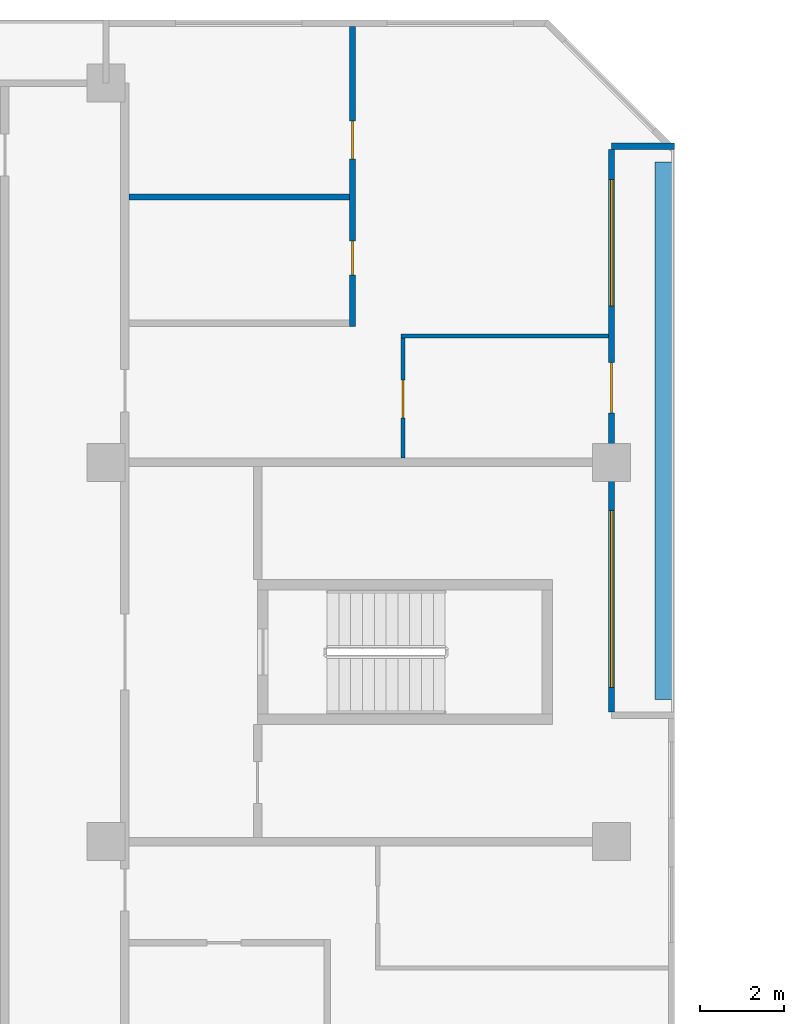
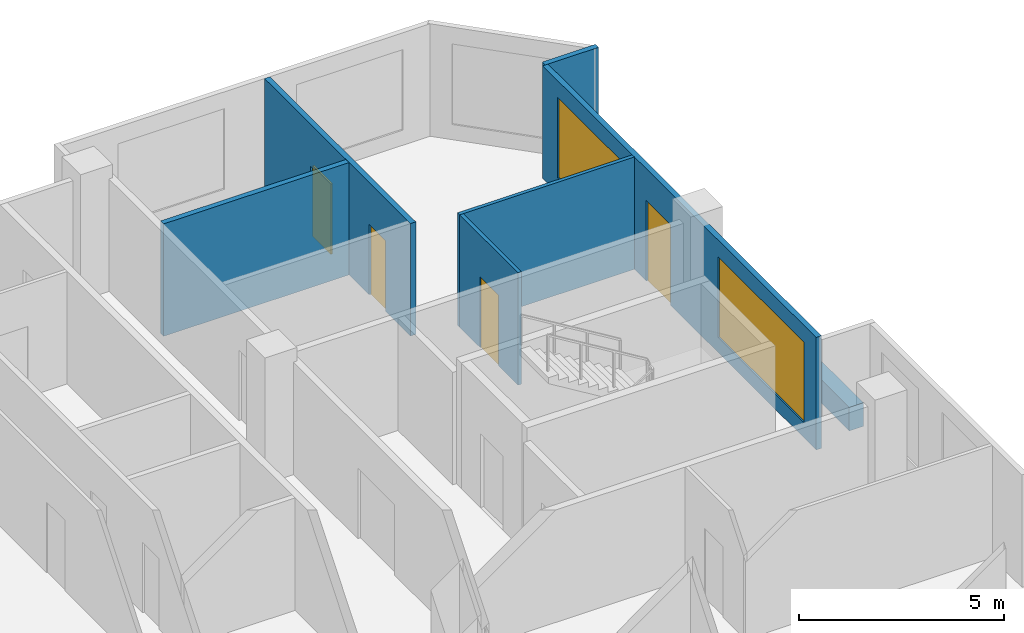
# One storey, part 11 of 14: 7 walls, 4 doors, 2 windows, 6 openings.
"""IFC4 building model written with IfcOpenShell, lengths in metres."""

from ifc_helpers import new_model, si_unit, direction, frame, frame_2d, origin, place, context, subcontext, project, spatial, rectangle, extrude, material, layer, layer_set, type_object, element, fill, save


model = new_model("IFC4")

# Units and contexts
model_context = context("Model", 3, precision=1e-05, world=origin(), true_north=direction((0.0, 1.0)))
body_context = subcontext(model_context, "Body", "Model", "MODEL_VIEW")
ifc_project = project(units=[si_unit("LENGTHUNIT", "METRE"), si_unit("AREAUNIT", "SQUARE_METRE"), si_unit("VOLUMEUNIT", "CUBIC_METRE"), si_unit("PLANEANGLEUNIT", "RADIAN"), si_unit("MASSUNIT", "GRAM", prefix="KILO")], contexts=[model_context])

# Site, building, storey
site_placement = place(None, origin())
site = spatial("IfcSite", under=ifc_project, at=site_placement, CompositionType="ELEMENT")
building_placement = place(site_placement, origin())
building = spatial("IfcBuilding", under=site, at=building_placement, Name="Chenar Terraces", CompositionType="ELEMENT")
storey_placement = place(building_placement, frame((0.0, 0.0, 161.14990234375)))
storey = spatial("IfcBuildingStorey", under=building, at=storey_placement, Name="L36", CompositionType="ELEMENT", Elevation=161.14990234375)

# Wall, openings, windows, door
ifc_material_1 = material(Name="Aluminium framed glazing", Category="aluminium")
ifc_layer_1 = layer(ifc_material_1, 0.14990234375)
ifc_layer_set_1 = layer_set([ifc_layer_1], Name="Aluminium framed glazing")
wall_type_1 = type_object("IfcWallType", Name="Glazed loggia back wall 150", PredefinedType="SOLIDWALL", material=ifc_layer_set_1)
wall_1_placement = place(storey_placement, frame((24.0, 48.074951171875, 0.0), z_axis=(0.0, 0.0, 1.0), x_axis=(0.0, 1.0, 0.0)))
wall_1 = element("IfcWall", 1, at=wall_1_placement, inside=storey, type_object=wall_type_1, Name="Glazed loggia back wall", PredefinedType="SOLIDWALL", context=body_context, shape_type="SweptSolid", body=[
    extrude(rectangle(XDim=13.35009765625, YDim=0.14990234375, at=frame_2d((6.675048828125, 0.0))), origin(), (0.0, 0.0, 1.0), 3.35009765625),
])
opening_1_placement = place(wall_1_placement, frame((0.58740234375, 0.0, 0.449951171875)))
opening_1 = element("IfcOpeningElement", 2, at=opening_1_placement, cuts=wall_1, Name="Opening W420x240", PredefinedType="OPENING", context=body_context, shape_type="SweptSolid", body=[
    extrude(rectangle(XDim=4.199951171875, YDim=2.39990234375, at=frame_2d((2.10009765625, 1.199951171875))), frame((0.0, 0.0849609375, 0.0), z_axis=(0.0, -1.0, 0.0), x_axis=(1.0, 0.0, 0.0)), (0.0, 0.0, 1.0), 0.169921875),
])
opening_2_placement = place(wall_1_placement, frame((7.10009765625, 0.0, 0.0)))
opening_2 = element("IfcOpeningElement", 3, at=opening_2_placement, cuts=wall_1, Name="Opening DL36-G2", PredefinedType="OPENING", context=body_context, shape_type="SweptSolid", body=[
    extrude(rectangle(XDim=1.199951171875, YDim=2.39990234375, at=frame_2d((0.60009765625, 1.199951171875))), frame((0.0, 0.0849609375, 0.0), z_axis=(0.0, -1.0, 0.0), x_axis=(1.0, 0.0, 0.0)), (0.0, 0.0, 1.0), 0.169921875),
])
opening_3_placement = place(wall_1_placement, frame((9.637451171875, 0.0, 0.449951171875)))
opening_3 = element("IfcOpeningElement", 4, at=opening_3_placement, cuts=wall_1, Name="Opening W300x240", PredefinedType="OPENING", context=body_context, shape_type="SweptSolid", body=[
    extrude(rectangle(XDim=3.0, YDim=2.39990234375, at=frame_2d((1.5, 1.199951171875))), frame((0.0, 0.0849609375, 0.0), z_axis=(0.0, -1.0, 0.0), x_axis=(1.0, 0.0, 0.0)), (0.0, 0.0, 1.0), 0.169921875),
])
ifc_material_2 = material(Name="Low emissivity double glazing, aluminium frame", Category="aluminium")
window_type_1 = type_object("IfcWindowType", Name="Fixed light 3000 x 2400", PartitioningType="SINGLE_PANEL", PredefinedType="WINDOW", material=ifc_material_2)
window_1_placement = place(opening_3_placement, origin())
window_1 = element("IfcWindow", 5, at=window_1_placement, inside=storey, type_object=window_type_1, Name="Window", OverallHeight=2.39990234375, OverallWidth=3.0, PartitioningType="SINGLE_PANEL", PredefinedType="WINDOW", context=body_context, shape_type="SweptSolid", body=[
    extrude(rectangle(XDim=3.0, YDim=2.39990234375, at=frame_2d((1.5, 1.199951171875))), frame((0.0, 0.030029296875, 0.0), z_axis=(0.0, -1.0, 0.0), x_axis=(1.0, 0.0, 0.0)), (0.0, 0.0, 1.0), 0.06005859375),
])
fill(opening_3, window_1)
ifc_material_3 = material(Name="Low emissivity double glazing, aluminium frame", Category="aluminium")
window_type_2 = type_object("IfcWindowType", Name="Fixed light 4200 x 2400", PartitioningType="SINGLE_PANEL", PredefinedType="WINDOW", material=ifc_material_3)
window_2_placement = place(opening_1_placement, origin())
window_2 = element("IfcWindow", 6, at=window_2_placement, inside=storey, type_object=window_type_2, Name="Window", OverallHeight=2.39990234375, OverallWidth=4.199951171875, PartitioningType="SINGLE_PANEL", PredefinedType="WINDOW", context=body_context, shape_type="SweptSolid", body=[
    extrude(rectangle(XDim=4.199951171875, YDim=2.39990234375, at=frame_2d((2.10009765625, 1.199951171875))), frame((0.0, 0.030029296875, 0.0), z_axis=(0.0, -1.0, 0.0), x_axis=(1.0, 0.0, 0.0)), (0.0, 0.0, 1.0), 0.06005859375),
])
fill(opening_1, window_2)
ifc_material_4 = material(Name="Low emissivity double glazing, aluminium frame", Category="aluminium")
door_type_1 = type_object("IfcDoorType", Name="Loggia glazed double door 1200 x 2400", OperationType="DOUBLE_DOOR_SINGLE_SWING", PredefinedType="DOOR", material=ifc_material_4)
door_1_placement = place(opening_2_placement, frame((1.199951171875, 0.0, 0.0), z_axis=(0.0, 0.0, 1.0), x_axis=(-1.0, 0.0, 0.0)))
door_1 = element("IfcDoor", 7, at=door_1_placement, inside=storey, type_object=door_type_1, Name="Loggia glazed door", OperationType="DOUBLE_DOOR_SINGLE_SWING", OverallHeight=2.39990234375, OverallWidth=1.199951171875, PredefinedType="DOOR", context=body_context, shape_type="SweptSolid", body=[
    extrude(rectangle(XDim=1.199951171875, YDim=2.39990234375, at=frame_2d((0.60009765625, 1.199951171875))), frame((0.0, 0.02490234375, 0.0), z_axis=(0.0, -1.0, 0.0), x_axis=(1.0, 0.0, 0.0)), (0.0, 0.0, 1.0), 0.050048828125),
])
fill(opening_2, door_1)

# Wall
ifc_material_5 = material(Name="Gypsum board on steel studs", Category="steel")
ifc_layer_2 = layer(ifc_material_5, 0.10009765625)
ifc_layer_set_2 = layer_set([ifc_layer_2], Name="Gypsum board on steel studs")
wall_type_2 = type_object("IfcWallType", Name="Gypsum partition 100", PredefinedType="PARTITIONING", material=ifc_layer_set_2)
wall_2_placement = place(storey_placement, frame((19.0, 57.0, 0.0), z_axis=(0.0, 0.0, 1.0), x_axis=(1.0, 0.0, 0.0)))
element("IfcWall", 8, at=wall_2_placement, inside=storey, type_object=wall_type_2, Name="Partition L36-050", PredefinedType="PARTITIONING", context=body_context, shape_type="SweptSolid", body=[
    extrude(rectangle(XDim=4.926025390625, YDim=0.10009765625, at=frame_2d((2.462890625, 0.0))), origin(), (0.0, 0.0, 1.0), 3.35009765625),
])

# Wall, opening, door
wall_3_placement = place(storey_placement, frame((19.050048828125, 54.10009765625, 0.0), z_axis=(0.0, 0.0, 1.0), x_axis=(0.0, 1.0, 0.0)))
wall_3 = element("IfcWall", 9, at=wall_3_placement, inside=storey, type_object=wall_type_2, Name="Partition L36-051", PredefinedType="PARTITIONING", context=body_context, shape_type="SweptSolid", body=[
    extrude(rectangle(XDim=2.849853515625, YDim=0.10009765625, at=frame_2d((1.4248046875, 0.0))), origin(), (0.0, 0.0, 1.0), 3.35009765625),
])
opening_4_placement = place(wall_3_placement, frame((0.949951171875, 0.0, 0.0)))
opening_4 = element("IfcOpeningElement", 10, at=opening_4_placement, cuts=wall_3, Name="Opening DL36-18", PredefinedType="OPENING", context=body_context, shape_type="SweptSolid", body=[
    extrude(rectangle(XDim=0.89990234375, YDim=2.10009765625, at=frame_2d((0.449951171875, 1.050048828125))), frame((0.0, 0.06005859375, 0.0), z_axis=(0.0, -1.0, 0.0), x_axis=(1.0, 0.0, 0.0)), (0.0, 0.0, 1.0), 0.1201171875),
])
ifc_material_6 = material(Name="Veneered timber door leaf", Category="wood")
door_type_2 = type_object("IfcDoorType", Name="Door 900 x 2100", OperationType="SINGLE_SWING_LEFT", PredefinedType="DOOR", material=ifc_material_6)
door_2_placement = place(opening_4_placement, frame((0.89990234375, 0.0, 0.0), z_axis=(0.0, 0.0, 1.0), x_axis=(-1.0, 0.0, 0.0)))
door_2 = element("IfcDoor", 11, at=door_2_placement, inside=storey, type_object=door_type_2, Name="Door DL36-18", OperationType="SINGLE_SWING_LEFT", OverallHeight=2.10009765625, OverallWidth=0.89990234375, PredefinedType="DOOR", context=body_context, shape_type="SweptSolid", body=[
    extrude(rectangle(XDim=0.89990234375, YDim=2.10009765625, at=frame_2d((0.449951171875, 1.050048828125))), frame((0.0, 0.02490234375, 0.0), z_axis=(0.0, -1.0, 0.0), x_axis=(1.0, 0.0, 0.0)), (0.0, 0.0, 1.0), 0.050048828125),
])
fill(opening_4, door_2)

# Walls
ifc_material_7 = material(Name="Terracotta cladding on insulated backing", Category="masonry")
ifc_layer_3 = layer(ifc_material_7, 0.14990234375)
ifc_layer_set_3 = layer_set([ifc_layer_3], Name="Terracotta cladding on insulated backing")
wall_type_3 = type_object("IfcWallType", Name="Loggia return wall 150", PredefinedType="SOLIDWALL", material=ifc_layer_set_3)
wall_4_placement = place(storey_placement, frame((25.5, 61.5, 0.0), z_axis=(0.0, 0.0, 1.0), x_axis=(-1.0, 0.0, 0.0)))
element("IfcWall", 12, at=wall_4_placement, inside=storey, type_object=wall_type_3, Name="Loggia return wall", PredefinedType="SOLIDWALL", context=body_context, shape_type="SweptSolid", body=[
    extrude(rectangle(XDim=1.5, YDim=0.14990234375, at=frame_2d((0.75, 0.0))), origin(), (0.0, 0.0, 1.0), 3.35009765625),
])
ifc_material_8 = material(Name="GRP planter trough")
ifc_layer_4 = layer(ifc_material_8, 0.39990234375)
ifc_layer_set_4 = layer_set([ifc_layer_4], Name="GRP planter trough")
wall_type_4 = type_object("IfcWallType", Name="Vertical greenery planter 400", PredefinedType="SOLIDWALL", material=ifc_layer_set_4)
wall_5_placement = place(storey_placement, frame((25.22900390625, 48.375, 0.0), z_axis=(0.0, 0.0, 1.0), x_axis=(0.0, 1.0, 0.0)))
element("IfcWall", 13, at=wall_5_placement, inside=storey, type_object=wall_type_4, Name="Vertical greenery planter", PredefinedType="SOLIDWALL", context=body_context, shape_type="SweptSolid", body=[
    extrude(rectangle(XDim=12.75, YDim=0.39990234375, at=frame_2d((6.375, 0.0))), origin(), (0.0, 0.0, 1.0), 0.7001953125),
])
ifc_material_9 = material(Name="Moisture-resistant gypsum board on steel studs", Category="steel")
ifc_layer_5 = layer(ifc_material_9, 0.14990234375)
ifc_layer_set_5 = layer_set([ifc_layer_5], Name="Moisture-resistant gypsum board on steel studs")
wall_type_5 = type_object("IfcWallType", Name="Wet-room partition 150", PredefinedType="PARTITIONING", material=ifc_layer_set_5)
wall_6_placement = place(storey_placement, frame((12.550048828125, 60.300048828125, 0.0), z_axis=(0.0, 0.0, 1.0), x_axis=(1.0, 0.0, 0.0)))
element("IfcWall", 14, at=wall_6_placement, inside=storey, type_object=wall_type_5, Name="Partition L36-040", PredefinedType="PARTITIONING", context=body_context, shape_type="SweptSolid", body=[
    extrude(rectangle(XDim=5.224853515625, YDim=0.14990234375, at=frame_2d((2.6123046875, 0.0))), origin(), (0.0, 0.0, 1.0), 3.35009765625),
])

# Wall, openings, doors
wall_7_placement = place(storey_placement, frame((17.85009765625, 57.22509765625, 0.0), z_axis=(0.0, 0.0, 1.0), x_axis=(0.0, 1.0, 0.0)))
wall_7 = element("IfcWall", 15, at=wall_7_placement, inside=storey, type_object=wall_type_5, Name="Partition L36-045", PredefinedType="PARTITIONING", context=body_context, shape_type="SweptSolid", body=[
    extrude(rectangle(XDim=7.125, YDim=0.14990234375, at=frame_2d((3.5625, 0.0))), origin(), (0.0, 0.0, 1.0), 3.35009765625),
])
opening_5_placement = place(wall_7_placement, frame((1.22509765625, 0.0, 0.0)))
opening_5 = element("IfcOpeningElement", 16, at=opening_5_placement, cuts=wall_7, Name="Opening DL36-17", PredefinedType="OPENING", context=body_context, shape_type="SweptSolid", body=[
    extrude(rectangle(XDim=0.800048828125, YDim=2.10009765625, at=frame_2d((0.39990234375, 1.050048828125))), frame((0.0, 0.0849609375, 0.0), z_axis=(0.0, -1.0, 0.0), x_axis=(1.0, 0.0, 0.0)), (0.0, 0.0, 1.0), 0.169921875),
])
opening_6_placement = place(wall_7_placement, frame((3.97509765625, 0.0, 0.0)))
opening_6 = element("IfcOpeningElement", 17, at=opening_6_placement, cuts=wall_7, Name="Opening DL36-19", PredefinedType="OPENING", context=body_context, shape_type="SweptSolid", body=[
    extrude(rectangle(XDim=0.89990234375, YDim=2.10009765625, at=frame_2d((0.449951171875, 1.050048828125))), frame((0.0, 0.0849609375, 0.0), z_axis=(0.0, -1.0, 0.0), x_axis=(1.0, 0.0, 0.0)), (0.0, 0.0, 1.0), 0.169921875),
])
ifc_material_10 = material(Name="Veneered timber door leaf", Category="wood")
door_type_3 = type_object("IfcDoorType", Name="Door 800 x 2100", OperationType="SINGLE_SWING_LEFT", PredefinedType="DOOR", material=ifc_material_10)
door_3_placement = place(opening_5_placement, origin())
door_3 = element("IfcDoor", 18, at=door_3_placement, inside=storey, type_object=door_type_3, Name="Door DL36-17", OperationType="SINGLE_SWING_RIGHT", OverallHeight=2.10009765625, OverallWidth=0.800048828125, PredefinedType="DOOR", context=body_context, shape_type="SweptSolid", body=[
    extrude(rectangle(XDim=0.800048828125, YDim=2.10009765625, at=frame_2d((0.39990234375, 1.050048828125))), frame((0.0, 0.02490234375, 0.0), z_axis=(0.0, -1.0, 0.0), x_axis=(1.0, 0.0, 0.0)), (0.0, 0.0, 1.0), 0.050048828125),
])
fill(opening_5, door_3)
door_4_placement = place(opening_6_placement, origin())
door_4 = element("IfcDoor", 19, at=door_4_placement, inside=storey, type_object=door_type_2, Name="Door DL36-19", OperationType="SINGLE_SWING_LEFT", OverallHeight=2.10009765625, OverallWidth=0.89990234375, PredefinedType="DOOR", context=body_context, shape_type="SweptSolid", body=[
    extrude(rectangle(XDim=0.89990234375, YDim=2.10009765625, at=frame_2d((0.449951171875, 1.050048828125))), frame((0.0, 0.02490234375, 0.0), z_axis=(0.0, -1.0, 0.0), x_axis=(1.0, 0.0, 0.0)), (0.0, 0.0, 1.0), 0.050048828125),
])
fill(opening_6, door_4)

save(model, "model.ifc")
